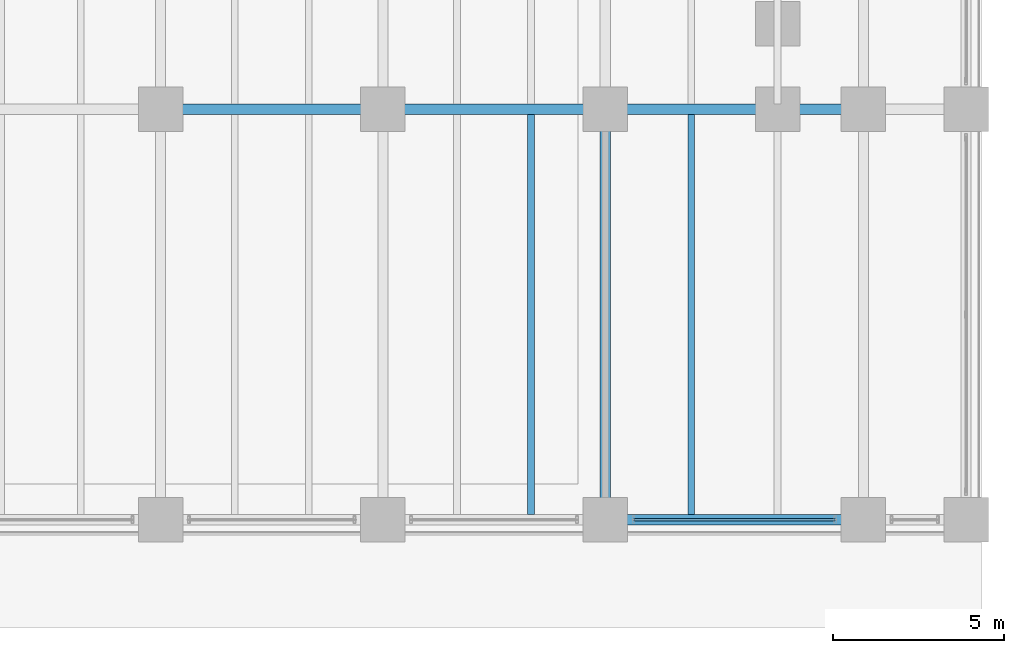
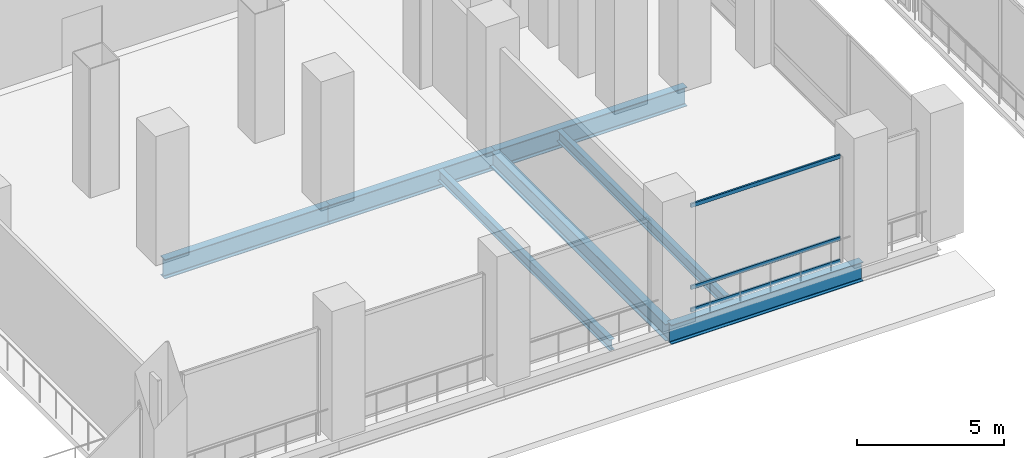
# One storey, part 9 of 32: 7 beams, 3 members, 1 element without a shape of its own.
"""IFC4 building model written with IfcOpenShell, lengths in metres."""

from ifc_helpers import new_model, si_unit, direction, frame, origin, origin_2d, place, context, subcontext, project, spatial, hollow_rectangle, i_section, extrude, material, material_profile, profile_set, type_object, element, aggregate, save


model = new_model("IFC4")

# Units and contexts
model_context = context("Model", 3, precision=1e-05, world=origin(), true_north=direction((0.0, 1.0)))
body_context = subcontext(model_context, "Body", "Model", "MODEL_VIEW")
ifc_project = project(units=[si_unit("LENGTHUNIT", "METRE"), si_unit("AREAUNIT", "SQUARE_METRE"), si_unit("VOLUMEUNIT", "CUBIC_METRE"), si_unit("PLANEANGLEUNIT", "RADIAN"), si_unit("MASSUNIT", "GRAM", prefix="KILO")], contexts=[model_context])

# Site, building, storey
site_placement = place(None, origin())
site = spatial("IfcSite", under=ifc_project, at=site_placement, CompositionType="ELEMENT")
building_placement = place(site_placement, origin())
building = spatial("IfcBuilding", under=site, at=building_placement, Name="Noeulbin Bourse Tower", CompositionType="ELEMENT")
storey_placement = place(building_placement, frame((0.0, 0.0, 5.800048828125)))
storey = spatial("IfcBuildingStorey", under=building, at=storey_placement, Name="L02", CompositionType="ELEMENT", Elevation=5.800048828125)

# Beams
ifc_material_1 = material(Name="Steel S355", Category="steel")
ifc_material_profile_1 = material_profile(ifc_material_1, i_section(OverallWidth=0.300048828125, OverallDepth=0.699951171875, WebThickness=0.012939453125, FlangeThickness=0.02392578125, FilletRadius=0.02392578125, at=origin_2d()), Name="H-700x300x13x24", Category="LoadBearing")
ifc_profile_set_1 = profile_set([ifc_material_profile_1], Name="Steel S355")
beam_type_1 = type_object("IfcBeamType", Name="BM-GRD-700", PredefinedType="USERDEFINED", material=ifc_profile_set_1)
beam_1_placement = place(storey_placement, frame((44.0, 3.449951171875, -0.60009765625), z_axis=(0.0, 1.0, 0.0), x_axis=(-1.0, 0.0, 0.0)))
element("IfcBeam", 1, at=beam_1_placement, inside=storey, type_object=beam_type_1, Name="Podium Primary Girder NS L02-090", ObjectType="GIRDER", PredefinedType="USERDEFINED", context=body_context, shape_type="SweptSolid", body=[
    extrude(i_section(OverallWidth=0.300048828125, OverallDepth=0.699951171875, WebThickness=0.012939453125, FlangeThickness=0.02392578125, FilletRadius=0.02392578125, at=origin_2d()), origin(), (0.0, 0.0, 1.0), 12.0),
])
ifc_material_profile_2 = material_profile(ifc_material_1, i_section(OverallWidth=0.300048828125, OverallDepth=0.800048828125, WebThickness=0.013916015625, FlangeThickness=0.02587890625, FilletRadius=0.02587890625, at=origin_2d()), Name="H-800x300x14x26", Category="LoadBearing")
ifc_profile_set_2 = profile_set([ifc_material_profile_2], Name="Steel S355")
beam_type_2 = type_object("IfcBeamType", Name="BM-GRD-800", PredefinedType="USERDEFINED", material=ifc_profile_set_2)
beam_2_placement = place(storey_placement, frame((44.0, 3.449951171875, -0.650146484375), z_axis=(1.0, 0.0, 0.0), x_axis=(0.0, 1.0, 0.0)))
element("IfcBeam", 2, at=beam_2_placement, inside=storey, type_object=beam_type_2, Name="Podium Primary Girder EW L02-007", ObjectType="GIRDER", PredefinedType="USERDEFINED", context=body_context, shape_type="SweptSolid", body=[
    extrude(i_section(OverallWidth=0.300048828125, OverallDepth=0.800048828125, WebThickness=0.013916015625, FlangeThickness=0.02587890625, FilletRadius=0.02587890625, at=origin_2d()), origin(), (0.0, 0.0, 1.0), 7.550048828125),
])
for number, where, z_axis, x_axis, name in (
    (3, (31.0, 15.449951171875, -0.650146484375), (1.0, 0.0, 0.0), (0.0, 1.0, 0.0), "Podium Primary Girder EW L02-013"),
    (4, (37.5, 15.449951171875, -0.650146484375), (1.0, 0.0, 0.0), (0.0, 1.0, 0.0), "Podium Primary Girder EW L02-014"),
):
    element("IfcBeam", number, at=place(storey_placement, frame(where, z_axis=z_axis, x_axis=x_axis)), inside=storey, type_object=beam_type_2, Name=name, ObjectType="GIRDER", PredefinedType="USERDEFINED", context=body_context, shape_type="SweptSolid", body=[
        extrude(i_section(OverallWidth=0.300048828125, OverallDepth=0.800048828125, WebThickness=0.013916015625, FlangeThickness=0.02587890625, FilletRadius=0.02587890625, at=origin_2d()), origin(), (0.0, 0.0, 1.0), 6.5),
    ])
beam_3_placement = place(storey_placement, frame((44.0, 15.449951171875, -0.650146484375), z_axis=(1.0, 0.0, 0.0), x_axis=(0.0, 1.0, 0.0)))
element("IfcBeam", 5, at=beam_3_placement, inside=storey, type_object=beam_type_2, Name="Podium Primary Girder EW L02-015", ObjectType="GIRDER", PredefinedType="USERDEFINED", context=body_context, shape_type="SweptSolid", body=[
    extrude(i_section(OverallWidth=0.300048828125, OverallDepth=0.800048828125, WebThickness=0.013916015625, FlangeThickness=0.02587890625, FilletRadius=0.02587890625, at=origin_2d()), origin(), (0.0, 0.0, 1.0), 7.550048828125),
])
ifc_material_profile_3 = material_profile(ifc_material_1, i_section(OverallWidth=0.199951171875, OverallDepth=0.449951171875, WebThickness=0.009033203125, FlangeThickness=0.013916015625, FilletRadius=0.01806640625, at=origin_2d()), Name="H-450x200x9x14", Category="LoadBearing")
ifc_profile_set_3 = profile_set([ifc_material_profile_3], Name="Steel S355")
beam_type_3 = type_object("IfcBeamType", Name="BM-SEC-450", PredefinedType="BEAM", material=ifc_profile_set_3)
for number, where, z_axis, x_axis, name in (
    (6, (41.833251953125, 3.60009765625, -0.47509765625), (0.0, 1.0, 0.0), (-1.0, 0.0, 0.0), "Podium Secondary Beam L02-064"),
    (7, (46.5166015625, 3.60009765625, -0.47509765625), (0.0, 1.0, 0.0), (-1.0, 0.0, 0.0), "Podium Secondary Beam L02-069"),
):
    element("IfcBeam", number, at=place(storey_placement, frame(where, z_axis=z_axis, x_axis=x_axis)), inside=storey, type_object=beam_type_3, Name=name, PredefinedType="BEAM", context=body_context, shape_type="SweptSolid", body=[
        extrude(i_section(OverallWidth=0.199951171875, OverallDepth=0.449951171875, WebThickness=0.009033203125, FlangeThickness=0.013916015625, FilletRadius=0.01806640625, at=origin_2d()), origin(), (0.0, 0.0, 1.0), 11.699951171875),
    ])

# Curtain wall, members
ifc_material_2 = material(Name="Laminated Clear Low-E Glass", Category="glass")
curtain_wall_type = type_object("IfcCurtainWallType", Name="CW-SYS-1", PredefinedType="NOTDEFINED", material=ifc_material_2)
curtain_wall_placement = place(storey_placement, origin())
curtain_wall = element("IfcCurtainWall", 8, at=curtain_wall_placement, inside=storey, type_object=curtain_wall_type, Name="Unitised Curtain Wall CW-L02-POD-S-S6", PredefinedType="NOTDEFINED")
ifc_material_3 = material(Name="Anodised Aluminium 6063-T6", Category="aluminium")
ifc_material_profile_4 = material_profile(ifc_material_3, hollow_rectangle(XDim=0.074951171875, YDim=0.159912109375, WallThickness=0.0048828125, InnerFilletRadius=0.00244140625, OuterFilletRadius=0.0048828125, at=origin_2d()), Name="ALU-TRAN-75x160x5", Category="LoadBearing")
ifc_profile_set_4 = profile_set([ifc_material_profile_4], Name="Anodised Aluminium 6063-T6")
member_type = type_object("IfcMemberType", Name="CW-SYS-1-TRN", PredefinedType="USERDEFINED", material=ifc_profile_set_4)
member_1_placement = place(storey_placement, frame((44.8349609375, 3.449951171875, 0.010009765625), z_axis=(1.0, 0.0, 0.0), x_axis=(0.0, 1.0, 0.0)))
member_1 = element("IfcMember", 9, at=member_1_placement, type_object=member_type, Name="Curtain Wall Transom CW-L02-POD-S-S6-T00", ObjectType="TRANSOM", PredefinedType="USERDEFINED", context=body_context, shape_type="SweptSolid", body=[
    extrude(hollow_rectangle(XDim=0.074951171875, YDim=0.159912109375, WallThickness=0.0048828125, InnerFilletRadius=0.00244140625, OuterFilletRadius=0.0048828125, at=origin_2d()), origin(), (0.0, 0.0, 1.0), 5.880126953125),
])
member_2_placement = place(storey_placement, frame((44.8349609375, 3.449951171875, 0.949951171875), z_axis=(1.0, 0.0, 0.0), x_axis=(0.0, 1.0, 0.0)))
member_2 = element("IfcMember", 10, at=member_2_placement, type_object=member_type, Name="Curtain Wall Transom CW-L02-POD-S-S6-T01", ObjectType="TRANSOM", PredefinedType="USERDEFINED", context=body_context, shape_type="SweptSolid", body=[
    extrude(hollow_rectangle(XDim=0.074951171875, YDim=0.159912109375, WallThickness=0.0048828125, InnerFilletRadius=0.00244140625, OuterFilletRadius=0.0048828125, at=origin_2d()), origin(), (0.0, 0.0, 1.0), 5.880126953125),
])
member_3_placement = place(storey_placement, frame((44.8349609375, 3.449951171875, 4.35986328125), z_axis=(1.0, 0.0, 0.0), x_axis=(0.0, 1.0, 0.0)))
member_3 = element("IfcMember", 11, at=member_3_placement, type_object=member_type, Name="Curtain Wall Transom CW-L02-POD-S-S6-T02", ObjectType="TRANSOM", PredefinedType="USERDEFINED", context=body_context, shape_type="SweptSolid", body=[
    extrude(hollow_rectangle(XDim=0.074951171875, YDim=0.159912109375, WallThickness=0.0048828125, InnerFilletRadius=0.00244140625, OuterFilletRadius=0.0048828125, at=origin_2d()), origin(), (0.0, 0.0, 1.0), 5.880126953125),
])
aggregate(curtain_wall, [member_1, member_2, member_3])

save(model, "model.ifc")
